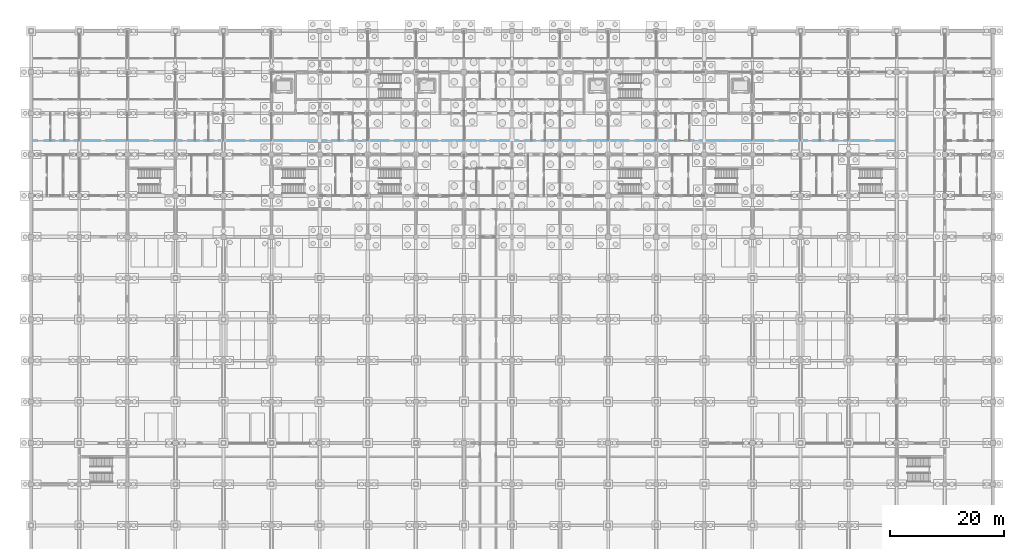
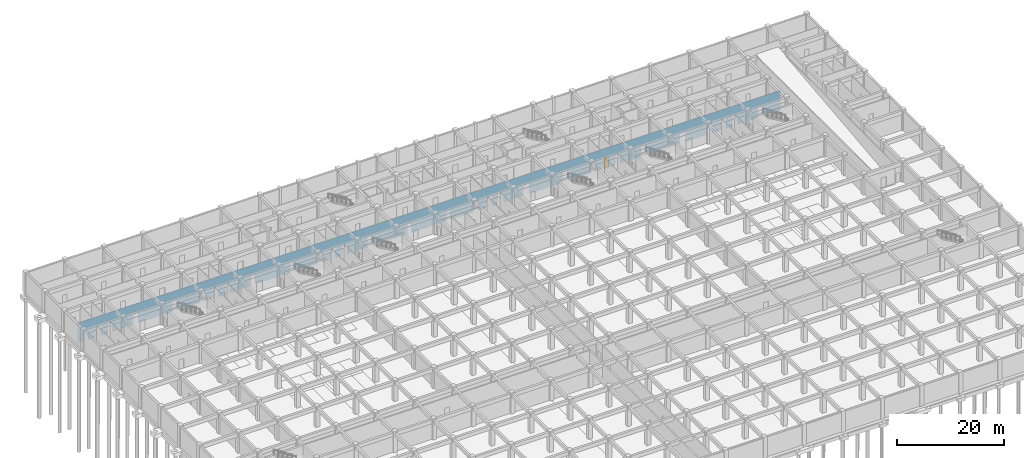
# One storey, part 63 of 85: 1 door, 30 openings, plus 1 element that does not belong to this part.
"""IFC4 building model written with IfcOpenShell, lengths in metres."""

from ifc_helpers import new_model, si_unit, direction, frame, frame_2d, origin, place, context, subcontext, project, spatial, rectangle, extrude, material, layer, layer_set, type_object, element, fill, save


model = new_model("IFC4")

# Units and contexts
model_context = context("Model", 3, precision=1e-05, world=origin(), true_north=direction((0.0, 1.0)))
body_context = subcontext(model_context, "Body", "Model", "MODEL_VIEW")
ifc_project = project(units=[si_unit("LENGTHUNIT", "METRE"), si_unit("AREAUNIT", "SQUARE_METRE"), si_unit("VOLUMEUNIT", "CUBIC_METRE"), si_unit("PLANEANGLEUNIT", "RADIAN"), si_unit("MASSUNIT", "GRAM", prefix="KILO")], contexts=[model_context])

# Site, building, storey
site_placement = place(None, origin())
site = spatial("IfcSite", under=ifc_project, at=site_placement, CompositionType="ELEMENT")
building_placement = place(site_placement, origin())
building = spatial("IfcBuilding", under=site, at=building_placement, Name="Chengyuan Square Courthouse", CompositionType="ELEMENT")
storey_placement = place(building_placement, frame((0.0, 0.0, -10.199951171875)))
storey = spatial("IfcBuildingStorey", under=building, at=storey_placement, Name="B02", CompositionType="ELEMENT", Elevation=-10.199951171875)

# Wall, openings, door
ifc_material_1 = material(Name="Gypsum Plasterboard Acoustic Stud Partition")
ifc_layer = layer(ifc_material_1, 0.10009765625)
ifc_layer_set = layer_set([ifc_layer], Name="Gypsum Plasterboard Acoustic Stud Partition")
wall_type = type_object("IfcWallType", Name="WL-PT6", PredefinedType="STANDARD", material=ifc_layer_set)
wall_placement = place(storey_placement, frame((0.0400390625, 96.0, 0.0), z_axis=(0.0, 0.0, 1.0), x_axis=(1.0, 0.0, 0.0)))
wall = element("IfcWall", 1, at=wall_placement, inside=storey, type_object=wall_type, Name="Interior Wall WL-B02-I062", PredefinedType="STANDARD", context=body_context, shape_type="SweptSolid", body=[
    extrude(rectangle(XDim=151.159912109375, YDim=0.10009765625, at=frame_2d((75.580078125, 0.0))), origin(), (0.0, 0.0, 1.0), 4.47998046875),
])
opening_1_placement = place(wall_placement, frame((1.0400390625, 0.0, 0.0)))
element("IfcOpeningElement", 2, at=opening_1_placement, cuts=wall, Name="Opening DR-148", PredefinedType="OPENING", context=body_context, shape_type="SweptSolid", body=[
    extrude(rectangle(XDim=1.280029296875, YDim=2.35009765625, at=frame_2d((0.64013671875, 1.175048828125))), frame((0.0, 0.06201171875, 0.0), z_axis=(0.0, -1.0, 0.0), x_axis=(1.0, 0.0, 0.0)), (0.0, 0.0, 1.0), 0.1240234375),
])
opening_2_placement = place(wall_placement, frame((4.090087890625, 0.0, 0.0)))
element("IfcOpeningElement", 3, at=opening_2_placement, cuts=wall, Name="Opening DR-149", PredefinedType="OPENING", context=body_context, shape_type="SweptSolid", body=[
    extrude(rectangle(XDim=0.93994140625, YDim=2.300048828125, at=frame_2d((0.469970703125, 1.14990234375))), frame((0.0, 0.06201171875, 0.0), z_axis=(0.0, -1.0, 0.0), x_axis=(1.0, 0.0, 0.0)), (0.0, 0.0, 1.0), 0.1240234375),
])
opening_3_placement = place(wall_placement, frame((6.570068359375, 0.0, 0.0)))
element("IfcOpeningElement", 4, at=opening_3_placement, cuts=wall, Name="Opening DR-150", PredefinedType="OPENING", context=body_context, shape_type="SweptSolid", body=[
    extrude(rectangle(XDim=0.97998046875, YDim=2.35009765625, at=frame_2d((0.489990234375, 1.175048828125))), frame((0.0, 0.06201171875, 0.0), z_axis=(0.0, -1.0, 0.0), x_axis=(1.0, 0.0, 0.0)), (0.0, 0.0, 1.0), 0.1240234375),
])
opening_4_placement = place(wall_placement, frame((12.050048828125, 0.0, 0.0)))
element("IfcOpeningElement", 5, at=opening_4_placement, cuts=wall, Name="Opening DR-151", PredefinedType="OPENING", context=body_context, shape_type="SweptSolid", body=[
    extrude(rectangle(XDim=1.02001953125, YDim=2.39990234375, at=frame_2d((0.510009765625, 1.199951171875))), frame((0.0, 0.06201171875, 0.0), z_axis=(0.0, -1.0, 0.0), x_axis=(1.0, 0.0, 0.0)), (0.0, 0.0, 1.0), 0.1240234375),
])
opening_5_placement = place(wall_placement, frame((20.429931640625, 0.0, 0.0)))
element("IfcOpeningElement", 6, at=opening_5_placement, cuts=wall, Name="Opening DR-152", PredefinedType="OPENING", context=body_context, shape_type="SweptSolid", body=[
    extrude(rectangle(XDim=1.06005859375, YDim=2.39990234375, at=frame_2d((0.530029296875, 1.199951171875))), frame((0.0, 0.06201171875, 0.0), z_axis=(0.0, -1.0, 0.0), x_axis=(1.0, 0.0, 0.0)), (0.0, 0.0, 1.0), 0.1240234375),
])
opening_6_placement = place(wall_placement, frame((26.2900390625, 0.0, 0.0)))
element("IfcOpeningElement", 7, at=opening_6_placement, cuts=wall, Name="Opening DR-153", PredefinedType="OPENING", context=body_context, shape_type="SweptSolid", body=[
    extrude(rectangle(XDim=1.139892578125, YDim=2.39990234375, at=frame_2d((0.56982421875, 1.199951171875))), frame((0.0, 0.06201171875, 0.0), z_axis=(0.0, -1.0, 0.0), x_axis=(1.0, 0.0, 0.0)), (0.0, 0.0, 1.0), 0.1240234375),
])
opening_7_placement = place(wall_placement, frame((29.31005859375, 0.0, 0.0)))
element("IfcOpeningElement", 8, at=opening_7_placement, cuts=wall, Name="Opening DR-154", PredefinedType="OPENING", context=body_context, shape_type="SweptSolid", body=[
    extrude(rectangle(XDim=0.89990234375, YDim=2.14990234375, at=frame_2d((0.449951171875, 1.074951171875))), frame((0.0, 0.06201171875, 0.0), z_axis=(0.0, -1.0, 0.0), x_axis=(1.0, 0.0, 0.0)), (0.0, 0.0, 1.0), 0.1240234375),
])
opening_8_placement = place(wall_placement, frame((31.830078125, 0.0, 0.0)))
element("IfcOpeningElement", 9, at=opening_8_placement, cuts=wall, Name="Opening DR-155", PredefinedType="OPENING", context=body_context, shape_type="SweptSolid", body=[
    extrude(rectangle(XDim=0.860107421875, YDim=2.10009765625, at=frame_2d((0.43017578125, 1.050048828125))), frame((0.0, 0.06201171875, 0.0), z_axis=(0.0, -1.0, 0.0), x_axis=(1.0, 0.0, 0.0)), (0.0, 0.0, 1.0), 0.1240234375),
])
opening_9_placement = place(wall_placement, frame((37.300048828125, 0.0, 0.0)))
element("IfcOpeningElement", 10, at=opening_9_placement, cuts=wall, Name="Opening DR-156", PredefinedType="OPENING", context=body_context, shape_type="SweptSolid", body=[
    extrude(rectangle(XDim=0.919921875, YDim=2.14990234375, at=frame_2d((0.4599609375, 1.074951171875))), frame((0.0, 0.06201171875, 0.0), z_axis=(0.0, -1.0, 0.0), x_axis=(1.0, 0.0, 0.0)), (0.0, 0.0, 1.0), 0.1240234375),
])
opening_10_placement = place(wall_placement, frame((45.679931640625, 0.0, 0.0)))
element("IfcOpeningElement", 11, at=opening_10_placement, cuts=wall, Name="Opening DR-157", PredefinedType="OPENING", context=body_context, shape_type="SweptSolid", body=[
    extrude(rectangle(XDim=0.9599609375, YDim=2.199951171875, at=frame_2d((0.47998046875, 1.10009765625))), frame((0.0, 0.06201171875, 0.0), z_axis=(0.0, -1.0, 0.0), x_axis=(1.0, 0.0, 0.0)), (0.0, 0.0, 1.0), 0.1240234375),
])
opening_11_placement = place(wall_placement, frame((51.570068359375, 0.0, 0.0)))
element("IfcOpeningElement", 12, at=opening_11_placement, cuts=wall, Name="Opening DR-167", PredefinedType="OPENING", context=body_context, shape_type="SweptSolid", body=[
    extrude(rectangle(XDim=0.97998046875, YDim=2.35009765625, at=frame_2d((0.489990234375, 1.175048828125))), frame((0.0, 0.06201171875, 0.0), z_axis=(0.0, -1.0, 0.0), x_axis=(1.0, 0.0, 0.0)), (0.0, 0.0, 1.0), 0.1240234375),
])
opening_12_placement = place(wall_placement, frame((54.449951171875, 0.0, 0.0)))
element("IfcOpeningElement", 13, at=opening_12_placement, cuts=wall, Name="Opening DR-168", PredefinedType="OPENING", context=body_context, shape_type="SweptSolid", body=[
    extrude(rectangle(XDim=1.02001953125, YDim=2.39990234375, at=frame_2d((0.510009765625, 1.199951171875))), frame((0.0, 0.06201171875, 0.0), z_axis=(0.0, -1.0, 0.0), x_axis=(1.0, 0.0, 0.0)), (0.0, 0.0, 1.0), 0.1240234375),
])
opening_13_placement = place(wall_placement, frame((56.929931640625, 0.0, 0.0)))
element("IfcOpeningElement", 14, at=opening_13_placement, cuts=wall, Name="Opening DR-169", PredefinedType="OPENING", context=body_context, shape_type="SweptSolid", body=[
    extrude(rectangle(XDim=1.06005859375, YDim=2.39990234375, at=frame_2d((0.530029296875, 1.199951171875))), frame((0.0, 0.06201171875, 0.0), z_axis=(0.0, -1.0, 0.0), x_axis=(1.0, 0.0, 0.0)), (0.0, 0.0, 1.0), 0.1240234375),
])
opening_14_placement = place(wall_placement, frame((62.389892578125, 0.0, 0.0)))
element("IfcOpeningElement", 15, at=opening_14_placement, cuts=wall, Name="Opening DR-170", PredefinedType="OPENING", context=body_context, shape_type="SweptSolid", body=[
    extrude(rectangle(XDim=1.139892578125, YDim=2.39990234375, at=frame_2d((0.56982421875, 1.199951171875))), frame((0.0, 0.06201171875, 0.0), z_axis=(0.0, -1.0, 0.0), x_axis=(1.0, 0.0, 0.0)), (0.0, 0.0, 1.0), 0.1240234375),
])
opening_15_placement = place(wall_placement, frame((70.909912109375, 0.0, 0.0)))
element("IfcOpeningElement", 16, at=opening_15_placement, cuts=wall, Name="Opening DR-171", PredefinedType="OPENING", context=body_context, shape_type="SweptSolid", body=[
    extrude(rectangle(XDim=0.89990234375, YDim=2.14990234375, at=frame_2d((0.449951171875, 1.074951171875))), frame((0.0, 0.06201171875, 0.0), z_axis=(0.0, -1.0, 0.0), x_axis=(1.0, 0.0, 0.0)), (0.0, 0.0, 1.0), 0.1240234375),
])
opening_16_placement = place(wall_placement, frame((79.330078125, 0.0, 0.0)))
element("IfcOpeningElement", 17, at=opening_16_placement, cuts=wall, Name="Opening DR-172", PredefinedType="OPENING", context=body_context, shape_type="SweptSolid", body=[
    extrude(rectangle(XDim=0.860107421875, YDim=2.10009765625, at=frame_2d((0.43017578125, 1.050048828125))), frame((0.0, 0.06201171875, 0.0), z_axis=(0.0, -1.0, 0.0), x_axis=(1.0, 0.0, 0.0)), (0.0, 0.0, 1.0), 0.1240234375),
])
opening_17_placement = place(wall_placement, frame((85.10009765625, 0.0, 0.0)))
element("IfcOpeningElement", 18, at=opening_17_placement, cuts=wall, Name="Opening DR-178", PredefinedType="OPENING", context=body_context, shape_type="SweptSolid", body=[
    extrude(rectangle(XDim=1.1201171875, YDim=2.25, at=frame_2d((0.56005859375, 1.125))), frame((0.0, 0.06201171875, 0.0), z_axis=(0.0, -1.0, 0.0), x_axis=(1.0, 0.0, 0.0)), (0.0, 0.0, 1.0), 0.1240234375),
])
opening_18_placement = place(wall_placement, frame((87.97998046875, 0.0, 0.0)))
element("IfcOpeningElement", 19, at=opening_18_placement, cuts=wall, Name="Opening DR-179", PredefinedType="OPENING", context=body_context, shape_type="SweptSolid", body=[
    extrude(rectangle(XDim=1.159912109375, YDim=2.300048828125, at=frame_2d((0.580078125, 1.14990234375))), frame((0.0, 0.06201171875, 0.0), z_axis=(0.0, -1.0, 0.0), x_axis=(1.0, 0.0, 0.0)), (0.0, 0.0, 1.0), 0.1240234375),
])
opening_19_placement = place(wall_placement, frame((90.4599609375, 0.0, 0.0)))
element("IfcOpeningElement", 20, at=opening_19_placement, cuts=wall, Name="Opening DR-180", PredefinedType="OPENING", context=body_context, shape_type="SweptSolid", body=[
    extrude(rectangle(XDim=1.199951171875, YDim=2.35009765625, at=frame_2d((0.60009765625, 1.175048828125))), frame((0.0, 0.06201171875, 0.0), z_axis=(0.0, -1.0, 0.0), x_axis=(1.0, 0.0, 0.0)), (0.0, 0.0, 1.0), 0.1240234375),
])
opening_20_placement = place(wall_placement, frame((95.93994140625, 0.0, 0.0)))
element("IfcOpeningElement", 21, at=opening_20_placement, cuts=wall, Name="Opening DR-181", PredefinedType="OPENING", context=body_context, shape_type="SweptSolid", body=[
    extrude(rectangle(XDim=1.239990234375, YDim=2.300048828125, at=frame_2d((0.6201171875, 1.14990234375))), frame((0.0, 0.06201171875, 0.0), z_axis=(0.0, -1.0, 0.0), x_axis=(1.0, 0.0, 0.0)), (0.0, 0.0, 1.0), 0.1240234375),
])
opening_21_placement = place(wall_placement, frame((104.320068359375, 0.0, 0.0)))
element("IfcOpeningElement", 22, at=opening_21_placement, cuts=wall, Name="Opening DR-182", PredefinedType="OPENING", context=body_context, shape_type="SweptSolid", body=[
    extrude(rectangle(XDim=1.280029296875, YDim=2.35009765625, at=frame_2d((0.64013671875, 1.175048828125))), frame((0.0, 0.06201171875, 0.0), z_axis=(0.0, -1.0, 0.0), x_axis=(1.0, 0.0, 0.0)), (0.0, 0.0, 1.0), 0.1240234375),
])
opening_22_placement = place(wall_placement, frame((110.389892578125, 0.0, 0.0)))
element("IfcOpeningElement", 23, at=opening_22_placement, cuts=wall, Name="Opening DR-183", PredefinedType="OPENING", context=body_context, shape_type="SweptSolid", body=[
    extrude(rectangle(XDim=0.93994140625, YDim=2.300048828125, at=frame_2d((0.469970703125, 1.14990234375))), frame((0.0, 0.06201171875, 0.0), z_axis=(0.0, -1.0, 0.0), x_axis=(1.0, 0.0, 0.0)), (0.0, 0.0, 1.0), 0.1240234375),
])
opening_23_placement = place(wall_placement, frame((113.27001953125, 0.0, 0.0)))
opening_23 = element("IfcOpeningElement", 24, at=opening_23_placement, cuts=wall, Name="Opening DR-184", PredefinedType="OPENING", context=body_context, shape_type="SweptSolid", body=[
    extrude(rectangle(XDim=0.97998046875, YDim=2.35009765625, at=frame_2d((0.489990234375, 1.175048828125))), frame((0.0, 0.06201171875, 0.0), z_axis=(0.0, -1.0, 0.0), x_axis=(1.0, 0.0, 0.0)), (0.0, 0.0, 1.0), 0.1240234375),
])
opening_24_placement = place(wall_placement, frame((115.75, 0.0, 0.0)))
element("IfcOpeningElement", 25, at=opening_24_placement, cuts=wall, Name="Opening DR-185", PredefinedType="OPENING", context=body_context, shape_type="SweptSolid", body=[
    extrude(rectangle(XDim=1.02001953125, YDim=2.39990234375, at=frame_2d((0.510009765625, 1.199951171875))), frame((0.0, 0.06201171875, 0.0), z_axis=(0.0, -1.0, 0.0), x_axis=(1.0, 0.0, 0.0)), (0.0, 0.0, 1.0), 0.1240234375),
])
opening_25_placement = place(wall_placement, frame((121.239990234375, 0.0, 0.0)))
element("IfcOpeningElement", 26, at=opening_25_placement, cuts=wall, Name="Opening DR-193", PredefinedType="OPENING", context=body_context, shape_type="SweptSolid", body=[
    extrude(rectangle(XDim=1.0400390625, YDim=2.199951171875, at=frame_2d((0.52001953125, 1.10009765625))), frame((0.0, 0.06201171875, 0.0), z_axis=(0.0, -1.0, 0.0), x_axis=(1.0, 0.0, 0.0)), (0.0, 0.0, 1.0), 0.1240234375),
])
opening_26_placement = place(wall_placement, frame((129.6201171875, 0.0, 0.0)))
element("IfcOpeningElement", 27, at=opening_26_placement, cuts=wall, Name="Opening DR-194", PredefinedType="OPENING", context=body_context, shape_type="SweptSolid", body=[
    extrude(rectangle(XDim=1.080078125, YDim=2.25, at=frame_2d((0.5400390625, 1.125))), frame((0.0, 0.06201171875, 0.0), z_axis=(0.0, -1.0, 0.0), x_axis=(1.0, 0.0, 0.0)), (0.0, 0.0, 1.0), 0.1240234375),
])
opening_27_placement = place(wall_placement, frame((135.5, 0.0, 0.0)))
element("IfcOpeningElement", 28, at=opening_27_placement, cuts=wall, Name="Opening DR-195", PredefinedType="OPENING", context=body_context, shape_type="SweptSolid", body=[
    extrude(rectangle(XDim=1.1201171875, YDim=2.25, at=frame_2d((0.56005859375, 1.125))), frame((0.0, 0.06201171875, 0.0), z_axis=(0.0, -1.0, 0.0), x_axis=(1.0, 0.0, 0.0)), (0.0, 0.0, 1.0), 0.1240234375),
])
opening_28_placement = place(wall_placement, frame((138.3798828125, 0.0, 0.0)))
element("IfcOpeningElement", 29, at=opening_28_placement, cuts=wall, Name="Opening DR-196", PredefinedType="OPENING", context=body_context, shape_type="SweptSolid", body=[
    extrude(rectangle(XDim=1.159912109375, YDim=2.300048828125, at=frame_2d((0.580078125, 1.14990234375))), frame((0.0, 0.06201171875, 0.0), z_axis=(0.0, -1.0, 0.0), x_axis=(1.0, 0.0, 0.0)), (0.0, 0.0, 1.0), 0.1240234375),
])
opening_29_placement = place(wall_placement, frame((140.860107421875, 0.0, 0.0)))
element("IfcOpeningElement", 30, at=opening_29_placement, cuts=wall, Name="Opening DR-197", PredefinedType="OPENING", context=body_context, shape_type="SweptSolid", body=[
    extrude(rectangle(XDim=1.199951171875, YDim=2.35009765625, at=frame_2d((0.60009765625, 1.175048828125))), frame((0.0, 0.06201171875, 0.0), z_axis=(0.0, -1.0, 0.0), x_axis=(1.0, 0.0, 0.0)), (0.0, 0.0, 1.0), 0.1240234375),
])
opening_30_placement = place(wall_placement, frame((146.340087890625, 0.0, 0.0)))
element("IfcOpeningElement", 31, at=opening_30_placement, cuts=wall, Name="Opening DR-198", PredefinedType="OPENING", context=body_context, shape_type="SweptSolid", body=[
    extrude(rectangle(XDim=1.239990234375, YDim=2.300048828125, at=frame_2d((0.6201171875, 1.14990234375))), frame((0.0, 0.06201171875, 0.0), z_axis=(0.0, -1.0, 0.0), x_axis=(1.0, 0.0, 0.0)), (0.0, 0.0, 1.0), 0.1240234375),
])
ifc_material_2 = material(Name="Acoustic Solid-Core Timber Door", Category="wood")
door_type = type_object("IfcDoorType", Name="DT-40", OperationType="NOTDEFINED", PredefinedType="DOOR", material=ifc_material_2)
door_placement = place(opening_23_placement, origin())
door = element("IfcDoor", 32, at=door_placement, inside=storey, type_object=door_type, Name="Interior Door DR-184", OperationType="SINGLE_SWING_LEFT", OverallHeight=2.35009765625, OverallWidth=0.97998046875, PredefinedType="DOOR", context=body_context, shape_type="SweptSolid", body=[
    extrude(rectangle(XDim=0.97998046875, YDim=2.35009765625, at=frame_2d((0.489990234375, 1.175048828125))), frame((0.0, 0.02490234375, 0.0), z_axis=(0.0, -1.0, 0.0), x_axis=(1.0, 0.0, 0.0)), (0.0, 0.0, 1.0), 0.050048828125),
])
fill(opening_23, door)

save(model, "model.ifc")
